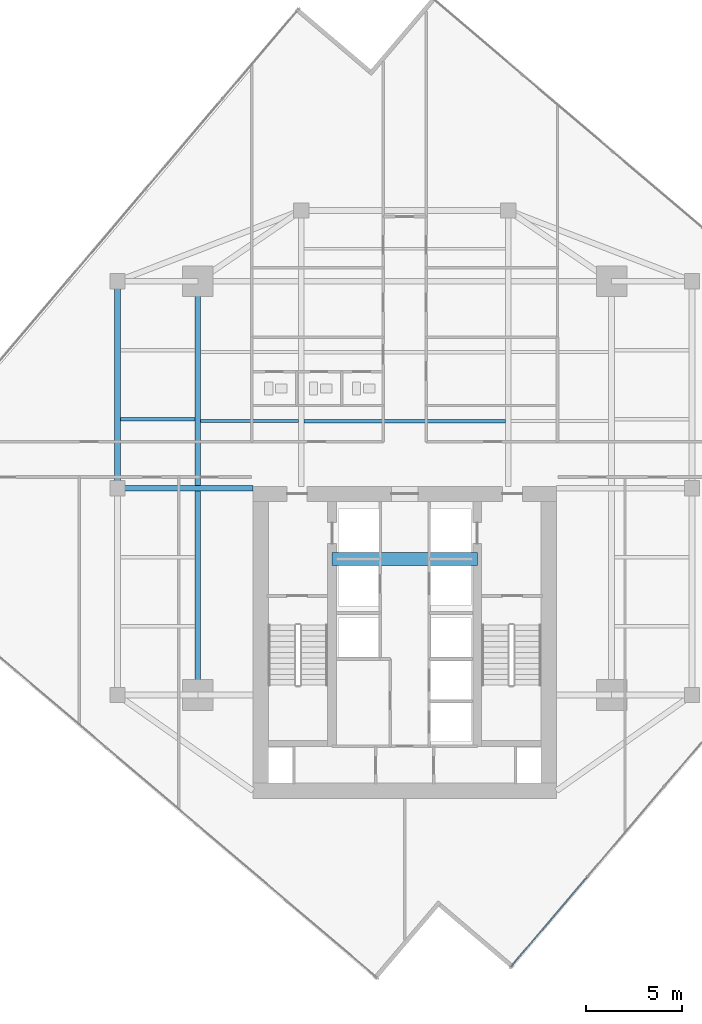
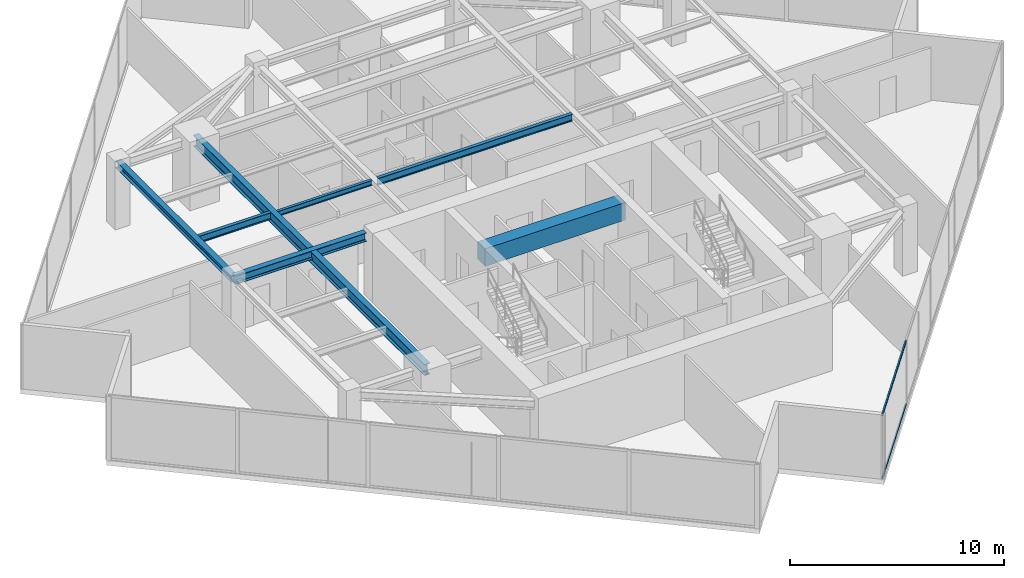
# One storey, part 9 of 26: 7 beams, 2 members, 1 element without a shape of its own.
"""IFC4 building model written with IfcOpenShell, lengths in metres."""

from ifc_helpers import new_model, si_unit, direction, frame, origin, origin_2d, place, context, subcontext, project, spatial, rectangle, hollow_rectangle, i_section, extrude, source, transform, mapped, material, material_profile, profile_set, type_object, type_shapes, element, aggregate, save


model = new_model("IFC4")

# Units and contexts
model_context = context("Model", 3, precision=1e-05, world=origin(), true_north=direction((0.0, 1.0)))
body_context = subcontext(model_context, "Body", "Model", "MODEL_VIEW")
ifc_project = project(units=[si_unit("LENGTHUNIT", "METRE"), si_unit("AREAUNIT", "SQUARE_METRE"), si_unit("VOLUMEUNIT", "CUBIC_METRE"), si_unit("PLANEANGLEUNIT", "RADIAN"), si_unit("MASSUNIT", "GRAM", prefix="KILO")], contexts=[model_context])

# Site, building, storey
site_placement = place(None, origin())
site = spatial("IfcSite", under=ifc_project, at=site_placement, CompositionType="ELEMENT")
building_placement = place(site_placement, origin())
building = spatial("IfcBuilding", under=site, at=building_placement, Name="Krantzveldt Concourse Tower", CompositionType="ELEMENT")
storey_placement = place(building_placement, frame((0.0, 0.0, 207.300048828125)))
storey = spatial("IfcBuildingStorey", under=building, at=storey_placement, Name="L50", CompositionType="ELEMENT", Elevation=207.300048828125)

# Beams
ifc_material_1 = material(Name="Steel S355JR", Category="steel")
ifc_material_profile_1 = material_profile(ifc_material_1, i_section(OverallWidth=0.300048828125, OverallDepth=0.639892578125, WebThickness=0.013427734375, FlangeThickness=0.02587890625, FilletRadius=0.027099609375, at=origin_2d()), Name="Steel S355JR", Category="steel")
ifc_profile_set_1 = profile_set([ifc_material_profile_1], Name="Steel S355JR - HEA 650")
beam_type_1 = type_object("IfcBeamType", Name="BM-B-HEA650", PredefinedType="BEAM", material=ifc_profile_set_1)
shared_shape_1 = source(origin(), body_context, "Body", "SweptSolid", [
    extrude(i_section(OverallWidth=0.300048828125, OverallDepth=0.639892578125, WebThickness=0.013427734375, FlangeThickness=0.02587890625, FilletRadius=0.027099609375, at=origin_2d()), origin(), (0.0, 0.0, 1.0), 21.60009765625),
])
type_shapes(beam_type_1, [shared_shape_1])
beam_1_placement = place(storey_placement, frame((25.199951171875, 15.89990234375, 3.349853515625), z_axis=(0.0, 1.0, 0.0), x_axis=(-1.0, 0.0, 0.0)))
element("IfcBeam", 1, at=beam_1_placement, inside=storey, type_object=beam_type_1, Name="L50 Tower Girder BG-MW", PredefinedType="BEAM", context=body_context, shape_type="MappedRepresentation", body=[
    mapped(shared_shape_1, transform((0.0, 0.0, 0.0), x_axis=(1.0, 0.0, 0.0), y_axis=(0.0, 1.0, 0.0), z_axis=(0.0, 0.0, 1.0), scale=1.0)),
])
ifc_material_profile_2 = material_profile(ifc_material_1, i_section(OverallWidth=0.179931640625, OverallDepth=0.39990234375, WebThickness=0.008544921875, FlangeThickness=0.013427734375, FilletRadius=0.02099609375, at=origin_2d()), Name="Steel S355JR", Category="steel")
ifc_profile_set_2 = profile_set([ifc_material_profile_2], Name="Steel S355JR - IPE 400")
beam_type_2 = type_object("IfcBeamType", Name="BM-J-IPE400", PredefinedType="JOIST", material=ifc_profile_set_2)
shared_shape_2 = source(origin(), body_context, "Body", "SweptSolid", [
    extrude(i_section(OverallWidth=0.179931640625, OverallDepth=0.39990234375, WebThickness=0.008544921875, FlangeThickness=0.013427734375, FilletRadius=0.02099609375, at=origin_2d()), origin(), (0.0, 0.0, 1.0), 10.5),
])
beam_2_placement = place(storey_placement, frame((30.75, 30.199951171875, 3.469970703125), z_axis=(1.0, 0.0, 0.0), x_axis=(0.0, 1.0, 0.0)))
element("IfcBeam", 2, at=beam_2_placement, inside=storey, type_object=beam_type_2, Name="L50 Secondary Floor Joist JN-C1", PredefinedType="JOIST", context=body_context, shape_type="MappedRepresentation", body=[
    mapped(shared_shape_2, transform((0.0, 0.0, 0.0), x_axis=(1.0, 0.0, 0.0), y_axis=(0.0, 1.0, 0.0), z_axis=(0.0, 0.0, 1.0), scale=1.0)),
])
ifc_material_2 = material(Name="Concrete C50/60", Category="concrete")
ifc_material_profile_3 = material_profile(ifc_material_2, rectangle(XDim=0.699951171875, YDim=1.0, at=origin_2d()), Name="Concrete C50/60", Category="concrete")
ifc_profile_set_3 = profile_set([ifc_material_profile_3], Name="Concrete C50/60 - RC-CB 700x1000")
beam_type_3 = type_object("IfcBeamType", Name="BM-CB-1000", PredefinedType="LINTEL", material=ifc_profile_set_3)
shared_shape_3 = source(origin(), body_context, "Body", "SweptSolid", [
    extrude(rectangle(XDim=0.699951171875, YDim=1.0, at=origin_2d()), origin(), (0.0, 0.0, 1.0), 7.580078125),
])
type_shapes(beam_type_3, [shared_shape_3])
beam_3_placement = place(storey_placement, frame((32.2099609375, 23.0, 3.169921875), z_axis=(1.0, 0.0, 0.0), x_axis=(0.0, 1.0, 0.0)))
element("IfcBeam", 3, at=beam_3_placement, inside=storey, type_object=beam_type_3, Name="CB-L50-01", PredefinedType="LINTEL", context=body_context, shape_type="MappedRepresentation", body=[
    mapped(shared_shape_3, transform((0.0, 0.0, 0.0), x_axis=(1.0, 0.0, 0.0), y_axis=(0.0, 1.0, 0.0), z_axis=(0.0, 0.0, 1.0), scale=1.0)),
])
ifc_material_profile_4 = material_profile(ifc_material_1, i_section(OverallWidth=0.300048828125, OverallDepth=0.389892578125, WebThickness=0.010986328125, FlangeThickness=0.01904296875, FilletRadius=0.027099609375, at=origin_2d()), Name="Steel S355JR", Category="steel")
ifc_profile_set_4 = profile_set([ifc_material_profile_4], Name="Steel S355JR - HEA 400")
beam_type_4 = type_object("IfcBeamType", Name="BM-SP-HEA400", PredefinedType="SPANDREL", material=ifc_profile_set_4)
shared_shape_4 = source(origin(), body_context, "Body", "SweptSolid", [
    extrude(i_section(OverallWidth=0.300048828125, OverallDepth=0.389892578125, WebThickness=0.010986328125, FlangeThickness=0.01904296875, FilletRadius=0.027099609375, at=origin_2d()), origin(), (0.0, 0.0, 1.0), 10.800048828125),
])
type_shapes(beam_type_4, [shared_shape_4])
beam_4_placement = place(storey_placement, frame((21.0, 26.699951171875, 3.474853515625), z_axis=(0.0, 1.0, 0.0), x_axis=(-1.0, 0.0, 0.0)))
element("IfcBeam", 4, at=beam_4_placement, inside=storey, type_object=beam_type_4, Name="L50 Tower Girder SP-R02", PredefinedType="SPANDREL", context=body_context, shape_type="MappedRepresentation", body=[
    mapped(shared_shape_4, transform((0.0, 0.0, 0.0), x_axis=(1.0, 0.0, 0.0), y_axis=(0.0, 1.0, 0.0), z_axis=(0.0, 0.0, 1.0), scale=1.0)),
])
ifc_material_profile_5 = material_profile(ifc_material_1, i_section(OverallWidth=0.300048828125, OverallDepth=0.489990234375, WebThickness=0.011962890625, FlangeThickness=0.02294921875, FilletRadius=0.027099609375, at=origin_2d()), Name="Steel S355JR", Category="steel")
ifc_profile_set_5 = profile_set([ifc_material_profile_5], Name="Steel S355JR - HEA 500")
beam_type_5 = type_object("IfcBeamType", Name="BM-B-HEA500", PredefinedType="BEAM", material=ifc_profile_set_5)
shared_shape_5 = source(origin(), body_context, "Body", "SweptSolid", [
    extrude(i_section(OverallWidth=0.300048828125, OverallDepth=0.489990234375, WebThickness=0.011962890625, FlangeThickness=0.02294921875, FilletRadius=0.027099609375, at=origin_2d()), origin(), (0.0, 0.0, 1.0), 7.080078125),
])
type_shapes(beam_type_5, [shared_shape_5])
beam_5_placement = place(storey_placement, frame((21.0, 26.699951171875, 3.425048828125), z_axis=(1.0, 0.0, 0.0), x_axis=(0.0, 1.0, 0.0)))
element("IfcBeam", 5, at=beam_5_placement, inside=storey, type_object=beam_type_5, Name="L50 Tower Girder BG-CW2", PredefinedType="BEAM", context=body_context, shape_type="MappedRepresentation", body=[
    mapped(shared_shape_5, transform((0.0, 0.0, 0.0), x_axis=(1.0, 0.0, 0.0), y_axis=(0.0, 1.0, 0.0), z_axis=(0.0, 0.0, 1.0), scale=1.0)),
])
ifc_material_profile_6 = material_profile(ifc_material_1, i_section(OverallWidth=0.14990234375, OverallDepth=0.300048828125, WebThickness=0.007080078125, FlangeThickness=0.0107421875, FilletRadius=0.014892578125, at=origin_2d()), Name="Steel S355JR", Category="steel")
ifc_profile_set_6 = profile_set([ifc_material_profile_6], Name="Steel S355JR - IPE 300")
beam_type_6 = type_object("IfcBeamType", Name="BM-J-IPE300", PredefinedType="JOIST", material=ifc_profile_set_6)
shared_shape_6 = source(origin(), body_context, "Body", "SweptSolid", [
    extrude(i_section(OverallWidth=0.14990234375, OverallDepth=0.300048828125, WebThickness=0.007080078125, FlangeThickness=0.0107421875, FilletRadius=0.014892578125, at=origin_2d()), origin(), (0.0, 0.0, 1.0), 5.099853515625),
])
type_shapes(beam_type_6, [shared_shape_6])
beam_6_placement = place(storey_placement, frame((25.35009765625, 30.199951171875, 3.52001953125), z_axis=(1.0, 0.0, 0.0), x_axis=(0.0, 1.0, 0.0)))
element("IfcBeam", 6, at=beam_6_placement, inside=storey, type_object=beam_type_6, Name="L50 Secondary Floor Joist JN-W1", PredefinedType="JOIST", context=body_context, shape_type="MappedRepresentation", body=[
    mapped(shared_shape_6, transform((0.0, 0.0, 0.0), x_axis=(1.0, 0.0, 0.0), y_axis=(0.0, 1.0, 0.0), z_axis=(0.0, 0.0, 1.0), scale=1.0)),
])
shared_shape_7 = source(origin(), body_context, "Body", "SweptSolid", [
    extrude(i_section(OverallWidth=0.179931640625, OverallDepth=0.39990234375, WebThickness=0.008544921875, FlangeThickness=0.013427734375, FilletRadius=0.02099609375, at=origin_2d()), origin(), (0.0, 0.0, 1.0), 3.900146484375),
])
type_shapes(beam_type_2, [shared_shape_2, shared_shape_7])
beam_7_placement = place(storey_placement, frame((21.14990234375, 30.300048828125, 3.469970703125), z_axis=(1.0, 0.0, 0.0), x_axis=(0.0, 1.0, 0.0)))
element("IfcBeam", 7, at=beam_7_placement, inside=storey, type_object=beam_type_2, Name="L50 Secondary Floor Joist JW-3", PredefinedType="JOIST", context=body_context, shape_type="MappedRepresentation", body=[
    mapped(shared_shape_7, transform((0.0, 0.0, 0.0), x_axis=(1.0, 0.0, 0.0), y_axis=(0.0, 1.0, 0.0), z_axis=(0.0, 0.0, 1.0), scale=1.0)),
])

# Curtain wall, members
ifc_material_3 = material(Name="Anodised aluminium 6063-T6", Category="aluminium")
curtain_wall_type = type_object("IfcCurtainWallType", Name="CW3", PredefinedType="USERDEFINED", material=ifc_material_3)
curtain_wall_placement = place(storey_placement, origin())
curtain_wall = element("IfcCurtainWall", 8, at=curtain_wall_placement, inside=storey, type_object=curtain_wall_type, Name="CW-L50-F07", ObjectType="UNITISED CURTAIN WALL", PredefinedType="USERDEFINED")
ifc_material_profile_7 = material_profile(ifc_material_3, hollow_rectangle(XDim=0.070068359375, YDim=0.139892578125, WallThickness=0.0048828125, at=origin_2d()), Name="Anodised aluminium 6063-T6", Category="aluminium")
ifc_profile_set_7 = profile_set([ifc_material_profile_7], Name="Anodised aluminium 6063-T6 - ALU-TRAN 140x70x5")
member_type = type_object("IfcMemberType", Name="CW-TRN-150", PredefinedType="USERDEFINED", material=ifc_profile_set_7)
shared_shape_8 = source(origin(), body_context, "Body", "SweptSolid", [
    extrude(hollow_rectangle(XDim=0.070068359375, YDim=0.139892578125, WallThickness=0.0048828125, at=origin_2d()), origin(), (0.0, 0.0, 1.0), 6.0947265625),
])
type_shapes(member_type, [shared_shape_8])
member_1_placement = place(storey_placement, frame((41.553466796875, 1.723876953125, 0.034912109375), z_axis=(0.647804216656, 0.761806863242, 0.0), x_axis=(-0.761806863242, 0.647804216656, 0.0)))
member_1 = element("IfcMember", 9, at=member_1_placement, type_object=member_type, Name="CW-Z34 transom 1.1", ObjectType="TRANSOM", PredefinedType="USERDEFINED", context=body_context, shape_type="MappedRepresentation", body=[
    mapped(shared_shape_8, transform((0.0, 0.0, 0.0), x_axis=(1.0, 0.0, 0.0), y_axis=(0.0, 1.0, 0.0), z_axis=(0.0, 0.0, 1.0), scale=1.0)),
])
member_2_placement = place(storey_placement, frame((41.553466796875, 1.723876953125, 3.635009765625), z_axis=(0.647804216656, 0.761806863242, 0.0), x_axis=(-0.761806863242, 0.647804216656, 0.0)))
member_2 = element("IfcMember", 10, at=member_2_placement, type_object=member_type, Name="CW-Z34 transom 1.2", ObjectType="TRANSOM", PredefinedType="USERDEFINED", context=body_context, shape_type="MappedRepresentation", body=[
    mapped(shared_shape_8, transform((0.0, 0.0, 0.0), x_axis=(1.0, 0.0, 0.0), y_axis=(0.0, 1.0, 0.0), z_axis=(0.0, 0.0, 1.0), scale=1.0)),
])
aggregate(curtain_wall, [member_1, member_2])

save(model, "model.ifc")
